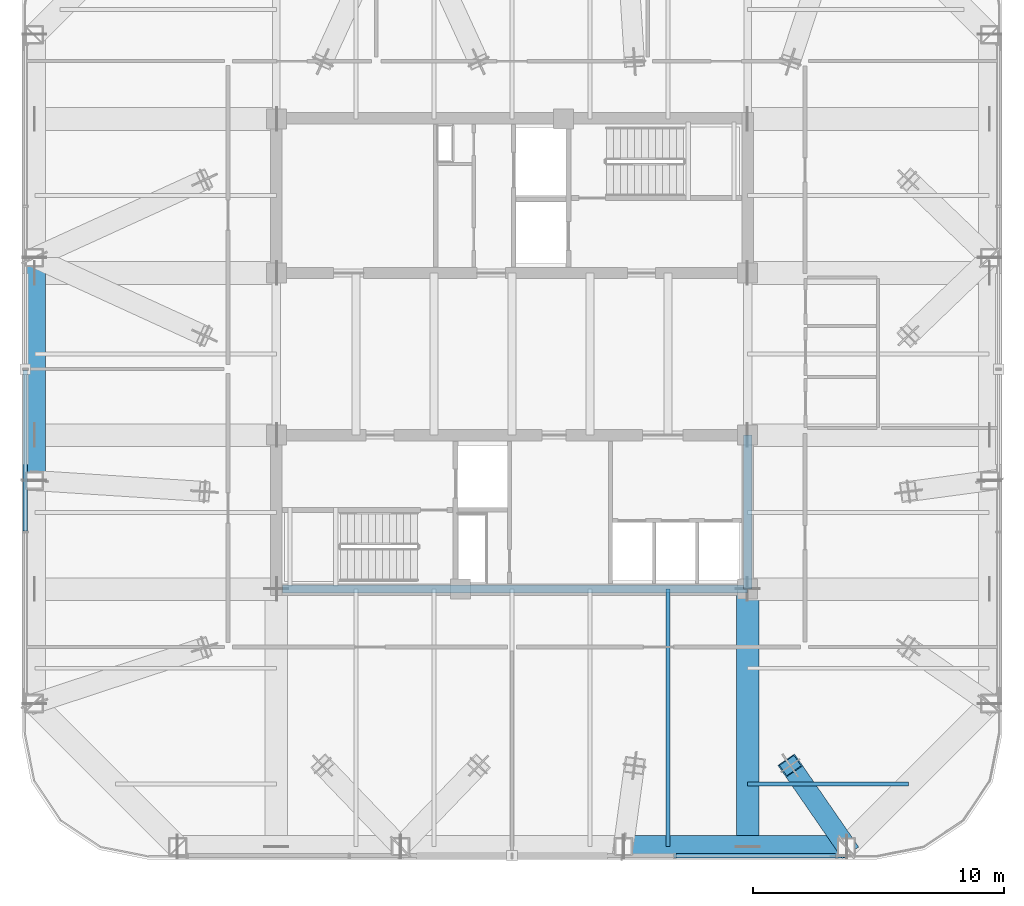
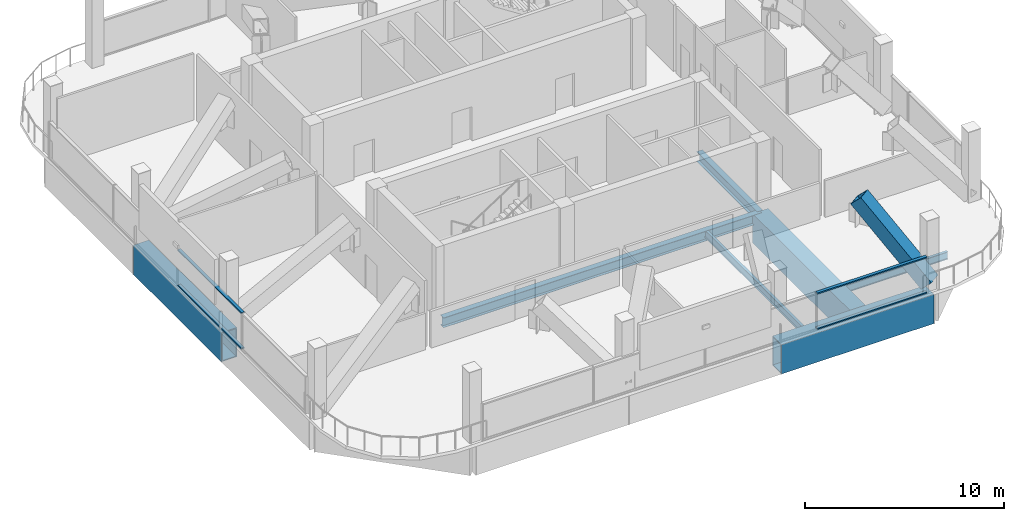
# One storey, part 5 of 19: 7 beams, 5 members, 2 elements without a shape of their own.
"""IFC4 building model written with IfcOpenShell, lengths in metres."""

from ifc_helpers import new_model, si_unit, direction, frame, origin, origin_2d, place, context, subcontext, project, spatial, hollow_rectangle, i_section, extrude, material, layer, layer_set, material_profile, profile_set, type_object, element, aggregate, save


model = new_model("IFC4")

# Units and contexts
model_context = context("Model", 3, precision=1e-05, world=origin(), true_north=direction((0.0, 1.0)))
body_context = subcontext(model_context, "Body", "Model", "MODEL_VIEW")
ifc_project = project(units=[si_unit("LENGTHUNIT", "METRE"), si_unit("AREAUNIT", "SQUARE_METRE"), si_unit("VOLUMEUNIT", "CUBIC_METRE"), si_unit("PLANEANGLEUNIT", "RADIAN"), si_unit("MASSUNIT", "GRAM", prefix="KILO")], contexts=[model_context])

# Site, building, storey
site_placement = place(None, origin())
site = spatial("IfcSite", under=ifc_project, at=site_placement, CompositionType="ELEMENT")
building_placement = place(site_placement, origin())
building = spatial("IfcBuilding", under=site, at=building_placement, Name="Qhalaya Broadcast Tower", CompositionType="ELEMENT")
storey_placement = place(building_placement, frame((0.0, 0.0, 226.949951171875)))
storey = spatial("IfcBuildingStorey", under=building, at=storey_placement, Name="L67", CompositionType="ELEMENT", Elevation=226.949951171875)

# Beams
ifc_material_1 = material(Name="Structural Steel ASTM A572 Grade 50", Category="steel")
ifc_material_profile_1 = material_profile(ifc_material_1, hollow_rectangle(XDim=0.89990234375, YDim=1.800048828125, WallThickness=0.06005859375, at=origin_2d()), Name="BOX 900x1800x60")
ifc_profile_set_1 = profile_set([ifc_material_profile_1], Name="Structural Steel ASTM A572 Grade 50")
beam_type_1 = type_object("IfcBeamType", Name="Block Cantilever Transfer Box Girder TG1", PredefinedType="USERDEFINED", material=ifc_profile_set_1)
for number, where, z_axis, x_axis, name in (
    (1, (4.433349609375, -19.0, -1.08984375), (1.0, 0.0, 0.0), (0.0, 1.0, 0.0), "L67 TG1 L67-SPR-03"),
    (2, (-19.0, 4.433349609375, -1.08984375), (0.0, -1.0, 0.0), (1.0, 0.0, 0.0), "L67 TG1 L67-SPR-14"),
):
    element("IfcBeam", number, at=place(storey_placement, frame(where, z_axis=z_axis, x_axis=x_axis)), inside=storey, type_object=beam_type_1, Name=name, ObjectType="GIRDER", PredefinedType="USERDEFINED", context=body_context, shape_type="SweptSolid", body=[
        extrude(hollow_rectangle(XDim=0.89990234375, YDim=1.800048828125, WallThickness=0.06005859375, at=origin_2d()), origin(), (0.0, 0.0, 1.0), 8.86669921875),
    ])
beam_1_placement = place(storey_placement, frame((9.375, -18.97998046875, -1.08984375), z_axis=(0.0, 1.0, 0.0), x_axis=(-1.0, 0.0, 0.0)))
element("IfcBeam", 3, at=beam_1_placement, inside=storey, type_object=beam_type_1, Name="L67 TG1 L67-PGXS2-1", ObjectType="GIRDER", PredefinedType="USERDEFINED", context=body_context, shape_type="SweptSolid", body=[
    extrude(hollow_rectangle(XDim=0.89990234375, YDim=1.800048828125, WallThickness=0.06005859375, at=origin_2d()), origin(), (0.0, 0.0, 1.0), 10.22998046875),
])
ifc_material_2 = material(Name="Structural Steel ASTM A992 Grade 50", Category="steel")
ifc_material_profile_2 = material_profile(ifc_material_2, i_section(OverallWidth=0.154052734375, OverallDepth=0.458984375, WebThickness=0.009033203125, FlangeThickness=0.015380859375, at=origin_2d()), Name="W18X46")
ifc_profile_set_2 = profile_set([ifc_material_profile_2], Name="Structural Steel ASTM A992 Grade 50")
beam_type_2 = type_object("IfcBeamType", Name="Composite Floor Joist J04", PredefinedType="JOIST", material=ifc_profile_set_2)
beam_2_placement = place(storey_placement, frame((6.199951171875, -18.97998046875, -0.41943359375), z_axis=(0.0, 1.0, 0.0), x_axis=(-1.0, 0.0, 0.0)))
element("IfcBeam", 4, at=beam_2_placement, inside=storey, type_object=beam_type_2, Name="L67 J04 L67-JNS5-1", PredefinedType="JOIST", context=body_context, shape_type="SweptSolid", body=[
    extrude(i_section(OverallWidth=0.154052734375, OverallDepth=0.458984375, WebThickness=0.009033203125, FlangeThickness=0.015380859375, at=origin_2d()), origin(), (0.0, 0.0, 1.0), 10.22998046875),
])
beam_3_placement = place(storey_placement, frame((9.375, -16.5, -0.41943359375), z_axis=(1.0, 0.0, 0.0), x_axis=(0.0, 1.0, 0.0)))
element("IfcBeam", 5, at=beam_3_placement, inside=storey, type_object=beam_type_2, Name="L67 J04 L67-JWE1E-1", PredefinedType="JOIST", context=body_context, shape_type="SweptSolid", body=[
    extrude(i_section(OverallWidth=0.154052734375, OverallDepth=0.458984375, WebThickness=0.009033203125, FlangeThickness=0.015380859375, at=origin_2d()), origin(), (0.0, 0.0, 1.0), 6.396728515625),
])
ifc_material_profile_3 = material_profile(ifc_material_2, i_section(OverallWidth=0.323974609375, OverallDepth=0.612060546875, WebThickness=0.0126953125, FlangeThickness=0.01904296875, at=origin_2d()), Name="W24X104")
ifc_profile_set_3 = profile_set([ifc_material_profile_3], Name="Structural Steel ASTM A992 Grade 50")
beam_type_3 = type_object("IfcBeamType", Name="Core Frame Tie Beam B04", PredefinedType="BEAM", material=ifc_profile_set_3)
beam_4_placement = place(storey_placement, frame((9.375, -8.75, -0.495849609375), z_axis=(0.0, 1.0, 0.0), x_axis=(-1.0, 0.0, 0.0)))
element("IfcBeam", 6, at=beam_4_placement, inside=storey, type_object=beam_type_3, Name="L67 B04 L67-CCS2", PredefinedType="BEAM", context=body_context, shape_type="SweptSolid", body=[
    extrude(i_section(OverallWidth=0.323974609375, OverallDepth=0.612060546875, WebThickness=0.0126953125, FlangeThickness=0.01904296875, at=origin_2d()), origin(), (0.0, 0.0, 1.0), 6.125),
])
beam_5_placement = place(storey_placement, frame((-9.1201171875, -8.75, -0.495849609375), z_axis=(1.0, 0.0, 0.0), x_axis=(0.0, 1.0, 0.0)))
element("IfcBeam", 7, at=beam_5_placement, inside=storey, type_object=beam_type_3, Name="L67 B04 L67-CCS3", PredefinedType="BEAM", context=body_context, shape_type="SweptSolid", body=[
    extrude(i_section(OverallWidth=0.323974609375, OverallDepth=0.612060546875, WebThickness=0.0126953125, FlangeThickness=0.01904296875, at=origin_2d()), origin(), (0.0, 0.0, 1.0), 18.4951171875),
])

# Curtain wall, members
ifc_material_3 = material(Name="Fired Architectural Terracotta", Category="masonry")
ifc_layer = layer(ifc_material_3, 0.219970703125, Name="Fired Architectural Terracotta")
ifc_layer_set = layer_set([ifc_layer], Name="Fired Architectural Terracotta")
curtain_wall_type = type_object("IfcCurtainWallType", Name="Block-Cap Unitised Terracotta Spandrel Wall CW-07", PredefinedType="NOTDEFINED", material=ifc_layer_set)
curtain_wall_1_placement = place(storey_placement, origin())
curtain_wall_1 = element("IfcCurtainWall", 8, at=curtain_wall_1_placement, inside=storey, type_object=curtain_wall_type, Name="L67 Unitised Curtain Wall L67-CW-S", PredefinedType="NOTDEFINED")
ifc_material_4 = material(Name="Anodised Aluminium 6063-T6", Category="aluminium")
ifc_material_profile_4 = material_profile(ifc_material_4, hollow_rectangle(XDim=0.074951171875, YDim=0.179931640625, WallThickness=0.00390625, at=origin_2d()), Name="ALU-TRN 75x180x4")
ifc_profile_set_4 = profile_set([ifc_material_profile_4], Name="Anodised Aluminium 6063-T6")
member_type_1 = type_object("IfcMemberType", Name="Unitised Curtain-Wall Transom T01", PredefinedType="USERDEFINED", material=ifc_profile_set_4)
member_1_placement = place(storey_placement, frame((12.886962890625, -19.360107421875, 0.03759765625), z_axis=(-1.0, 0.0, 0.0), x_axis=(0.0, 0.0, 1.0)))
member_1 = element("IfcMember", 9, at=member_1_placement, type_object=member_type_1, Name="CW-07 transom 1.1", ObjectType="TRANSOM", PredefinedType="USERDEFINED", context=body_context, shape_type="SweptSolid", body=[
    extrude(hollow_rectangle(XDim=0.074951171875, YDim=0.179931640625, WallThickness=0.00390625, at=origin_2d()), origin(), (0.0, 0.0, 1.0), 6.368408203125),
])
member_2_placement = place(storey_placement, frame((12.886962890625, -19.360107421875, 2.212646484375), z_axis=(-1.0, 0.0, 0.0), x_axis=(0.0, 0.0, 1.0)))
member_2 = element("IfcMember", 10, at=member_2_placement, type_object=member_type_1, Name="CW-07 transom 1.2", ObjectType="TRANSOM", PredefinedType="USERDEFINED", context=body_context, shape_type="SweptSolid", body=[
    extrude(hollow_rectangle(XDim=0.074951171875, YDim=0.179931640625, WallThickness=0.00390625, at=origin_2d()), origin(), (0.0, 0.0, 1.0), 6.368408203125),
])
aggregate(curtain_wall_1, [member_1, member_2])

curtain_wall_2_placement = place(storey_placement, origin())
curtain_wall_2 = element("IfcCurtainWall", 11, at=curtain_wall_2_placement, inside=storey, type_object=curtain_wall_type, Name="L67 Unitised Curtain Wall L67-CW-W", PredefinedType="NOTDEFINED")
member_3_placement = place(storey_placement, frame((-19.360107421875, -6.443603515625, 0.03759765625), z_axis=(0.0, 1.0, 0.0), x_axis=(0.0, 0.0, 1.0)))
member_3 = element("IfcMember", 12, at=member_3_placement, type_object=member_type_1, Name="CW-07 transom 2.1", ObjectType="TRANSOM", PredefinedType="USERDEFINED", context=body_context, shape_type="SweptSolid", body=[
    extrude(hollow_rectangle(XDim=0.074951171875, YDim=0.179931640625, WallThickness=0.00390625, at=origin_2d()), origin(), (0.0, 0.0, 1.0), 6.406005859375),
])
member_4_placement = place(storey_placement, frame((-19.360107421875, -6.443603515625, 2.212646484375), z_axis=(0.0, 1.0, 0.0), x_axis=(0.0, 0.0, 1.0)))
member_4 = element("IfcMember", 13, at=member_4_placement, type_object=member_type_1, Name="CW-07 transom 2.2", ObjectType="TRANSOM", PredefinedType="USERDEFINED", context=body_context, shape_type="SweptSolid", body=[
    extrude(hollow_rectangle(XDim=0.074951171875, YDim=0.179931640625, WallThickness=0.00390625, at=origin_2d()), origin(), (0.0, 0.0, 1.0), 6.406005859375),
])
aggregate(curtain_wall_2, [member_3, member_4])

# Member
ifc_material_profile_5 = material_profile(ifc_material_1, hollow_rectangle(XDim=0.800048828125, YDim=0.800048828125, WallThickness=0.050048828125, at=origin_2d()), Name="BOX 800x800x50")
ifc_profile_set_5 = profile_set([ifc_material_profile_5], Name="Structural Steel ASTM A572 Grade 50")
member_type_2 = type_object("IfcMemberType", Name="Upper Exoskeleton Transfer Strut RK2", PredefinedType="BRACE", material=ifc_profile_set_5)
member_5_placement = place(storey_placement, frame((13.300048828125, -19.0, 0.287841796875), z_axis=(-0.394779512552, 0.571812234625, 0.719152212541), x_axis=(-0.822925982611, -0.568148596007, 0.0)))
element("IfcMember", 14, at=member_5_placement, inside=storey, type_object=member_type_2, Name="L67 Inclined Exoskeleton Transfer Strut 04", PredefinedType="BRACE", context=body_context, shape_type="SweptSolid", body=[
    extrude(hollow_rectangle(XDim=0.800048828125, YDim=0.800048828125, WallThickness=0.050048828125, at=origin_2d()), origin(), (0.0, 0.0, 1.0), 5.648681640625),
])

save(model, "model.ifc")
